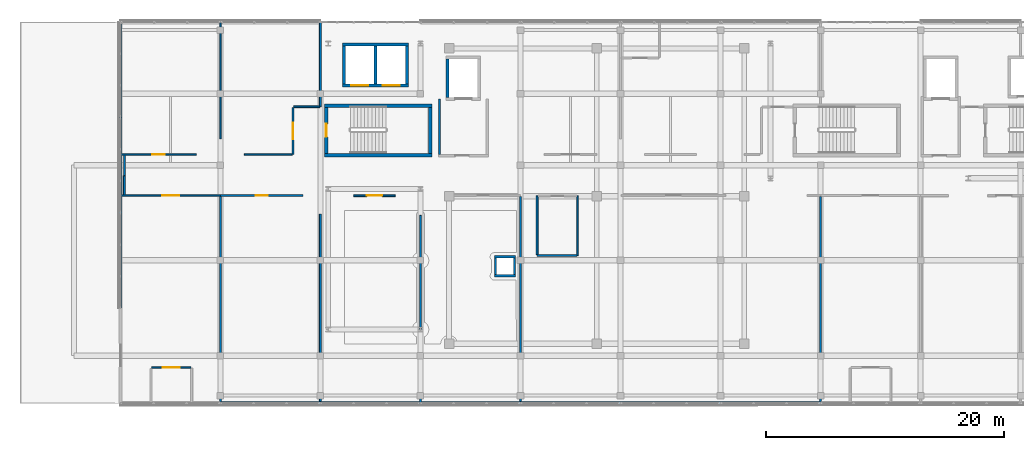
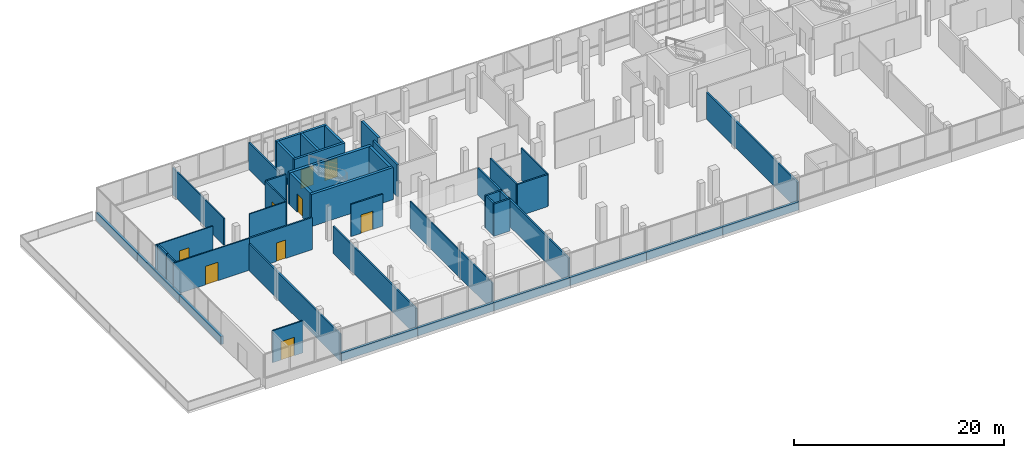
# One storey, part 56 of 67: 44 walls, 9 doors, 9 openings.
"""IFC4 building model written with IfcOpenShell, lengths in metres."""

from ifc_helpers import new_model, si_unit, direction, frame, frame_2d, origin, place, context, subcontext, project, spatial, rectangle, extrude, material, layer, layer_set, type_object, element, fill, save


model = new_model("IFC4")

# Units and contexts
model_context = context("Model", 3, precision=1e-05, world=origin(), true_north=direction((0.0, 1.0)))
body_context = subcontext(model_context, "Body", "Model", "MODEL_VIEW")
ifc_project = project(units=[si_unit("LENGTHUNIT", "METRE"), si_unit("AREAUNIT", "SQUARE_METRE"), si_unit("VOLUMEUNIT", "CUBIC_METRE"), si_unit("PLANEANGLEUNIT", "RADIAN"), si_unit("MASSUNIT", "GRAM", prefix="KILO")], contexts=[model_context])

# Site, building, storey
site_placement = place(None, origin())
site = spatial("IfcSite", under=ifc_project, at=site_placement, CompositionType="ELEMENT")
building_placement = place(site_placement, origin())
building = spatial("IfcBuilding", under=site, at=building_placement, Name="Selatvlak General Hospital", CompositionType="ELEMENT")
storey_placement = place(building_placement, frame((0.0, 0.0, 35.39990234375)))
storey = spatial("IfcBuildingStorey", under=building, at=storey_placement, Name="L08", CompositionType="ELEMENT", Elevation=35.39990234375)

# Walls
ifc_material_1 = material(Name="Precast concrete C40/50 - white Bauhaus spandrel", Category="concrete")
ifc_layer_1 = layer(ifc_material_1, 0.280029296875, Name="Precast concrete C40/50 - white Bauhaus spandrel", Category="concrete")
ifc_layer_set_1 = layer_set([ifc_layer_1], Name="Precast concrete C40/50 - white Bauhaus spandrel")
wall_type_1 = type_object("IfcWallType", Name="WALL-EW-02", PredefinedType="SOLIDWALL", material=ifc_layer_set_1)
wall_1_placement = place(storey_placement, frame((31.199951171875, 96.001953125, 0.0), z_axis=(0.0, 0.0, 1.0), x_axis=(0.0, 1.0, 0.0)))
element("IfcWall", 1, at=wall_1_placement, inside=storey, type_object=wall_type_1, Name="L08 Bauhaus spandrel sill wall 0604", PredefinedType="SOLIDWALL", context=body_context, shape_type="SweptSolid", body=[
    extrude(rectangle(XDim=7.9951171875, YDim=0.280029296875, at=frame_2d((3.99755859375, 0.0))), origin(), (0.0, 0.0, 1.0), 0.940185546875),
])
wall_2_placement = place(storey_placement, frame((31.199951171875, 104.0009765625, 0.0), z_axis=(0.0, 0.0, 1.0), x_axis=(0.0, 1.0, 0.0)))
element("IfcWall", 2, at=wall_2_placement, inside=storey, type_object=wall_type_1, Name="L08 Bauhaus spandrel sill wall 0605", PredefinedType="SOLIDWALL", context=body_context, shape_type="SweptSolid", body=[
    extrude(rectangle(XDim=7.99609375, YDim=0.280029296875, at=frame_2d((3.998046875, 0.0))), origin(), (0.0, 0.0, 1.0), 0.940185546875),
])
wall_3_placement = place(storey_placement, frame((31.199951171875, 112.0009765625, 0.0), z_axis=(0.0, 0.0, 1.0), x_axis=(0.0, 1.0, 0.0)))
element("IfcWall", 3, at=wall_3_placement, inside=storey, type_object=wall_type_1, Name="L08 Bauhaus spandrel sill wall 0606", PredefinedType="SOLIDWALL", context=body_context, shape_type="SweptSolid", body=[
    extrude(rectangle(XDim=7.85791015625, YDim=0.280029296875, at=frame_2d((3.928955078125, 0.0))), origin(), (0.0, 0.0, 1.0), 0.940185546875),
])
for number, where, z_axis, x_axis, name in (
    (4, (89.998046875, 88.0, 0.0), (0.0, 0.0, 1.0), (-1.0, 0.0, 0.0), "L08 Bauhaus spandrel sill wall 0630"),
    (5, (81.597900390625, 88.0, 0.0), (0.0, 0.0, 1.0), (-1.0, 0.0, 0.0), "L08 Bauhaus spandrel sill wall 0631"),
    (6, (73.197998046875, 88.0, 0.0), (0.0, 0.0, 1.0), (-1.0, 0.0, 0.0), "L08 Bauhaus spandrel sill wall 0632"),
    (7, (64.798095703125, 88.0, 0.0), (0.0, 0.0, 1.0), (-1.0, 0.0, 0.0), "L08 Bauhaus spandrel sill wall 0633"),
    (8, (56.39794921875, 88.0, 0.0), (0.0, 0.0, 1.0), (-1.0, 0.0, 0.0), "L08 Bauhaus spandrel sill wall 0634"),
    (9, (47.998046875, 88.0, 0.0), (0.0, 0.0, 1.0), (-1.0, 0.0, 0.0), "L08 Bauhaus spandrel sill wall 0635"),
):
    element("IfcWall", number, at=place(storey_placement, frame(where, z_axis=z_axis, x_axis=x_axis)), inside=storey, type_object=wall_type_1, Name=name, PredefinedType="SOLIDWALL", context=body_context, shape_type="SweptSolid", body=[
        extrude(rectangle(XDim=8.39599609375, YDim=0.280029296875, at=frame_2d((4.197998046875, 0.0))), origin(), (0.0, 0.0, 1.0), 0.940185546875),
    ])
ifc_material_2 = material(Name="Concrete C40/50", Category="concrete")
ifc_layer_2 = layer(ifc_material_2, 0.199951171875, Name="Concrete C40/50", Category="concrete")
ifc_layer_set_2 = layer_set([ifc_layer_2], Name="Concrete C40/50")
wall_type_2 = type_object("IfcWallType", Name="WALL-IW-02", PredefinedType="SOLIDWALL", material=ifc_layer_set_2)
wall_4_placement = place(storey_placement, frame((58.0, 113.550048828125, 0.0), z_axis=(0.0, 0.0, 1.0), x_axis=(0.0, -1.0, 0.0)))
element("IfcWall", 10, at=wall_4_placement, inside=storey, type_object=wall_type_2, Name="Firefighting lobby C1 wall L08 W", PredefinedType="SOLIDWALL", context=body_context, shape_type="SweptSolid", body=[
    extrude(rectangle(XDim=4.650146484375, YDim=0.199951171875, at=frame_2d((2.3251953125, 0.0))), origin(), (0.0, 0.0, 1.0), 3.739990234375),
])
wall_5_placement = place(storey_placement, frame((62.60009765625, 98.699951171875, 0.0), z_axis=(0.0, 0.0, 1.0), x_axis=(1.0, 0.0, 0.0)))
element("IfcWall", 11, at=wall_5_placement, inside=storey, type_object=wall_type_2, Name="Service riser 1 shaft wall L08 S", PredefinedType="SOLIDWALL", context=body_context, shape_type="SweptSolid", body=[
    extrude(rectangle(XDim=1.7998046875, YDim=0.199951171875, at=frame_2d((0.89990234375, 0.0))), origin(), (0.0, 0.0, 1.0), 3.739990234375),
])
wall_6_placement = place(storey_placement, frame((64.300048828125, 98.800048828125, 0.0), z_axis=(0.0, 0.0, 1.0), x_axis=(0.0, 1.0, 0.0)))
element("IfcWall", 12, at=wall_6_placement, inside=storey, type_object=wall_type_2, Name="Service riser 1 shaft wall L08 E", PredefinedType="SOLIDWALL", context=body_context, shape_type="SweptSolid", body=[
    extrude(rectangle(XDim=1.39990234375, YDim=0.199951171875, at=frame_2d((0.699951171875, 0.0))), origin(), (0.0, 0.0, 1.0), 3.739990234375),
])
wall_7_placement = place(storey_placement, frame((64.39990234375, 100.300048828125, 0.0), z_axis=(0.0, 0.0, 1.0), x_axis=(-1.0, 0.0, 0.0)))
element("IfcWall", 13, at=wall_7_placement, inside=storey, type_object=wall_type_2, Name="Service riser 1 shaft wall L08 N", PredefinedType="SOLIDWALL", context=body_context, shape_type="SweptSolid", body=[
    extrude(rectangle(XDim=1.7998046875, YDim=0.199951171875, at=frame_2d((0.89990234375, 0.0))), origin(), (0.0, 0.0, 1.0), 3.739990234375),
])
wall_8_placement = place(storey_placement, frame((62.699951171875, 100.199951171875, 0.0), z_axis=(0.0, 0.0, 1.0), x_axis=(0.0, -1.0, 0.0)))
element("IfcWall", 14, at=wall_8_placement, inside=storey, type_object=wall_type_2, Name="Service riser 1 shaft wall L08 W", PredefinedType="SOLIDWALL", context=body_context, shape_type="SweptSolid", body=[
    extrude(rectangle(XDim=1.39990234375, YDim=0.199951171875, at=frame_2d((0.699951171875, 0.0))), origin(), (0.0, 0.0, 1.0), 3.739990234375),
])
ifc_material_3 = material(Name="Acoustic gypsum stud partition")
ifc_layer_3 = layer(ifc_material_3, 0.179931640625, Name="Acoustic gypsum stud partition")
ifc_layer_set_3 = layer_set([ifc_layer_3], Name="Acoustic gypsum stud partition")
wall_type_3 = type_object("IfcWallType", Name="WALL-PT-01", PredefinedType="PARTITIONING", material=ifc_layer_set_3)
wall_9_placement = place(storey_placement, frame((69.535888671875, 100.39990234375, 0.0), z_axis=(0.0, 0.0, 1.0), x_axis=(-1.0, 0.0, 0.0)))
element("IfcWall", 15, at=wall_9_placement, inside=storey, type_object=wall_type_3, Name="L08 clinical partition PT-L08-2151", PredefinedType="PARTITIONING", context=body_context, shape_type="SweptSolid", body=[
    extrude(rectangle(XDim=3.3359375, YDim=0.179931640625, at=frame_2d((1.66796875, 0.0))), origin(), (0.0, 0.0, 1.0), 3.739990234375),
])
wall_10_placement = place(storey_placement, frame((39.60009765625, 105.3759765625, 0.0), z_axis=(0.0, 0.0, 1.0), x_axis=(0.0, -1.0, 0.0)))
element("IfcWall", 16, at=wall_10_placement, inside=storey, type_object=wall_type_3, Name="L08 clinical partition PT-L08-2166", PredefinedType="PARTITIONING", context=body_context, shape_type="SweptSolid", body=[
    extrude(rectangle(XDim=17.365966796875, YDim=0.179931640625, at=frame_2d((8.68310546875, 0.0))), origin(), (0.0, 0.0, 1.0), 3.14013671875),
])

# Wall, opening, door
wall_11_placement = place(storey_placement, frame((39.60009765625, 105.43994140625, 0.0), z_axis=(0.0, 0.0, 1.0), x_axis=(1.0, 0.0, 0.0)))
wall_11 = element("IfcWall", 17, at=wall_11_placement, inside=storey, type_object=wall_type_3, Name="L08 clinical partition PT-L08-2170", PredefinedType="PARTITIONING", context=body_context, shape_type="SweptSolid", body=[
    extrude(rectangle(XDim=6.914794921875, YDim=0.179931640625, at=frame_2d((3.45751953125, 0.0))), origin(), (0.0, 0.0, 1.0), 3.739990234375),
])
opening_1_placement = place(wall_11_placement, frame((2.95703125, 0.0, 0.0)))
opening_1 = element("IfcOpeningElement", 18, at=opening_1_placement, cuts=wall_11, Name="Opening D-21", PredefinedType="OPENING", context=body_context, shape_type="SweptSolid", body=[
    extrude(rectangle(XDim=1.0, YDim=2.14990234375, at=frame_2d((0.5, 1.074951171875))), frame((0.0, 0.099853515625, 0.0), z_axis=(0.0, -1.0, 0.0), x_axis=(1.0, 0.0, 0.0)), (0.0, 0.0, 1.0), 0.199951171875),
])
ifc_material_4 = material(Name="Laboratory fire door")
door_type_1 = type_object("IfcDoorType", Name="DOOR-D-21", OperationType="NOTDEFINED", PredefinedType="DOOR", material=ifc_material_4)
door_1_placement = place(opening_1_placement, origin())
door_1 = element("IfcDoor", 19, at=door_1_placement, inside=storey, type_object=door_type_1, Name="L08 Helipad Trauma Staging Room 02 door", OperationType="SINGLE_SWING_LEFT", OverallHeight=2.14990234375, OverallWidth=1.0, PredefinedType="DOOR", context=body_context, shape_type="SweptSolid", body=[
    extrude(rectangle(XDim=1.0, YDim=2.14990234375, at=frame_2d((0.5, 1.074951171875))), frame((0.0, 0.02490234375, 0.0), z_axis=(0.0, -1.0, 0.0), x_axis=(1.0, 0.0, 0.0)), (0.0, 0.0, 1.0), 0.050048828125),
])
fill(opening_1, door_1)

# Walls
for number, where, z_axis, x_axis, name in (
    (20, (64.800048828125, 105.384033203125, 0.0), (0.0, 0.0, 1.0), (0.0, -1.0, 0.0), "L08 clinical partition PT-L08-2175"),
    (21, (90.0, 105.384033203125, 0.0), (0.0, 0.0, 1.0), (0.0, -1.0, 0.0), "L08 clinical partition PT-L08-2180"),
):
    element("IfcWall", number, at=place(storey_placement, frame(where, z_axis=z_axis, x_axis=x_axis)), inside=storey, type_object=wall_type_3, Name=name, PredefinedType="PARTITIONING", context=body_context, shape_type="SweptSolid", body=[
        extrude(rectangle(XDim=17.3740234375, YDim=0.179931640625, at=frame_2d((8.68701171875, 0.0))), origin(), (0.0, 0.0, 1.0), 3.14013671875),
    ])
wall_12_placement = place(storey_placement, frame((31.5400390625, 108.85400390625, 0.0), z_axis=(0.0, 0.0, 1.0), x_axis=(0.0, -1.0, 0.0)))
element("IfcWall", 22, at=wall_12_placement, inside=storey, type_object=wall_type_3, Name="L08 clinical partition PT-L08-2205", PredefinedType="PARTITIONING", context=body_context, shape_type="SweptSolid", body=[
    extrude(rectangle(XDim=1.75390625, YDim=0.179931640625, at=frame_2d((0.876953125, 0.0))), origin(), (0.0, 0.0, 1.0), 3.739990234375),
])
ifc_layer_4 = layer(ifc_material_3, 0.1650390625, Name="Acoustic gypsum stud partition")
ifc_layer_set_4 = layer_set([ifc_layer_4], Name="Acoustic gypsum stud partition")
wall_type_4 = type_object("IfcWallType", Name="WALL-PT-02", PredefinedType="PARTITIONING", material=ifc_layer_set_4)
wall_13_placement = place(storey_placement, frame((66.199951171875, 100.486083984375, 0.0), z_axis=(0.0, 0.0, 1.0), x_axis=(0.0, 1.0, 0.0)))
element("IfcWall", 23, at=wall_13_placement, inside=storey, type_object=wall_type_4, Name="L08 clinical partition PT-L08-2152", PredefinedType="PARTITIONING", context=body_context, shape_type="SweptSolid", body=[
    extrude(rectangle(XDim=4.933837890625, YDim=0.1650390625, at=frame_2d((2.466796875, 0.0))), origin(), (0.0, 0.0, 1.0), 3.739990234375),
])
wall_14_placement = place(storey_placement, frame((31.5400390625, 107.10009765625, 0.0), z_axis=(0.0, 0.0, 1.0), x_axis=(0.0, -1.0, 0.0)))
element("IfcWall", 24, at=wall_14_placement, inside=storey, type_object=wall_type_4, Name="L08 clinical partition PT-L08-2164", PredefinedType="PARTITIONING", context=body_context, shape_type="SweptSolid", body=[
    extrude(rectangle(XDim=1.60009765625, YDim=0.1650390625, at=frame_2d((0.800048828125, 0.0))), origin(), (0.0, 0.0, 1.0), 3.739990234375),
])
wall_15_placement = place(storey_placement, frame((48.0, 103.887939453125, 0.0), z_axis=(0.0, 0.0, 1.0), x_axis=(0.0, -1.0, 0.0)))
element("IfcWall", 25, at=wall_15_placement, inside=storey, type_object=wall_type_4, Name="L08 clinical partition PT-L08-2171", PredefinedType="PARTITIONING", context=body_context, shape_type="SweptSolid", body=[
    extrude(rectangle(XDim=15.8779296875, YDim=0.1650390625, at=frame_2d((7.93896484375, 0.0))), origin(), (0.0, 0.0, 1.0), 3.14013671875),
])
wall_16_placement = place(storey_placement, frame((48.0, 119.989990234375, 0.0), z_axis=(0.0, 0.0, 1.0), x_axis=(0.0, -1.0, 0.0)))
element("IfcWall", 26, at=wall_16_placement, inside=storey, type_object=wall_type_4, Name="L08 clinical partition PT-L08-2206", PredefinedType="PARTITIONING", context=body_context, shape_type="SweptSolid", body=[
    extrude(rectangle(XDim=7.090087890625, YDim=0.1650390625, at=frame_2d((3.544921875, 0.0))), origin(), (0.0, 0.0, 1.0), 3.14013671875),
])

# Wall, opening, door
ifc_layer_5 = layer(ifc_material_3, 0.14990234375, Name="Acoustic gypsum stud partition")
ifc_layer_set_5 = layer_set([ifc_layer_5], Name="Acoustic gypsum stud partition")
wall_type_5 = type_object("IfcWallType", Name="WALL-PT-03", PredefinedType="PARTITIONING", material=ifc_layer_set_5)
wall_17_placement = place(storey_placement, frame((50.784912109375, 105.43994140625, 0.0), z_axis=(0.0, 0.0, 1.0), x_axis=(1.0, 0.0, 0.0)))
wall_17 = element("IfcWall", 27, at=wall_17_placement, inside=storey, type_object=wall_type_5, Name="L08 clinical partition PT-L08-2172", PredefinedType="PARTITIONING", context=body_context, shape_type="SweptSolid", body=[
    extrude(rectangle(XDim=3.47998046875, YDim=0.14990234375, at=frame_2d((1.739990234375, 0.0))), origin(), (0.0, 0.0, 1.0), 3.739990234375),
])
opening_2_placement = place(wall_17_placement, frame((1.090087890625, 0.0, 0.0)))
opening_2 = element("IfcOpeningElement", 28, at=opening_2_placement, cuts=wall_17, Name="Opening D-24", PredefinedType="OPENING", context=body_context, shape_type="SweptSolid", body=[
    extrude(rectangle(XDim=1.300048828125, YDim=2.14990234375, at=frame_2d((0.64990234375, 1.074951171875))), frame((0.0, 0.0849609375, 0.0), z_axis=(0.0, -1.0, 0.0), x_axis=(1.0, 0.0, 0.0)), (0.0, 0.0, 1.0), 0.169921875),
])
ifc_material_5 = material(Name="Oncology bay door")
door_type_2 = type_object("IfcDoorType", Name="DOOR-D-24", OperationType="NOTDEFINED", PredefinedType="DOOR", material=ifc_material_5)
door_2_placement = place(opening_2_placement, origin())
door_2 = element("IfcDoor", 29, at=door_2_placement, inside=storey, type_object=door_type_2, Name="L08 Outpatient Specialist Waiting Concourse 03 door", OperationType="SINGLE_SWING_RIGHT", OverallHeight=2.14990234375, OverallWidth=1.300048828125, PredefinedType="DOOR", context=body_context, shape_type="SweptSolid", body=[
    extrude(rectangle(XDim=1.300048828125, YDim=2.14990234375, at=frame_2d((0.64990234375, 1.074951171875))), frame((0.0, 0.02490234375, 0.0), z_axis=(0.0, -1.0, 0.0), x_axis=(1.0, 0.0, 0.0)), (0.0, 0.0, 1.0), 0.050048828125),
])
fill(opening_2, door_2)

# Walls
wall_18_placement = place(storey_placement, frame((47.922119140625, 112.89990234375, 0.0), z_axis=(0.0, 0.0, 1.0), x_axis=(-1.0, 0.0, 0.0)))
element("IfcWall", 30, at=wall_18_placement, inside=storey, type_object=wall_type_5, Name="L08 clinical partition PT-L08-2207", PredefinedType="PARTITIONING", context=body_context, shape_type="SweptSolid", body=[
    extrude(rectangle(XDim=2.172119140625, YDim=0.14990234375, at=frame_2d((1.0859375, 0.0))), origin(), (0.0, 0.0, 1.0), 3.739990234375),
])
ifc_material_6 = material(Name="Moisture-resistant clinical partition")
ifc_layer_6 = layer(ifc_material_6, 0.135009765625, Name="Moisture-resistant clinical partition")
ifc_layer_set_6 = layer_set([ifc_layer_6], Name="Moisture-resistant clinical partition")
wall_type_6 = type_object("IfcWallType", Name="WALL-PT-04", PredefinedType="PARTITIONING", material=ifc_layer_set_6)
wall_19_placement = place(storey_placement, frame((69.60009765625, 105.419921875, 0.0), z_axis=(0.0, 0.0, 1.0), x_axis=(0.0, -1.0, 0.0)))
element("IfcWall", 31, at=wall_19_placement, inside=storey, type_object=wall_type_6, Name="L08 clinical partition PT-L08-2150", PredefinedType="PARTITIONING", context=body_context, shape_type="SweptSolid", body=[
    extrude(rectangle(XDim=5.02001953125, YDim=0.135009765625, at=frame_2d((2.510009765625, 0.0))), origin(), (0.0, 0.0, 1.0), 3.739990234375),
])

# Wall, opening, door
wall_20_placement = place(storey_placement, frame((31.241943359375, 105.43994140625, 0.0), z_axis=(0.0, 0.0, 1.0), x_axis=(1.0, 0.0, 0.0)))
wall_20 = element("IfcWall", 32, at=wall_20_placement, inside=storey, type_object=wall_type_6, Name="L08 clinical partition PT-L08-2165", PredefinedType="PARTITIONING", context=body_context, shape_type="SweptSolid", body=[
    extrude(rectangle(XDim=8.358154296875, YDim=0.135009765625, at=frame_2d((4.17919921875, 0.0))), origin(), (0.0, 0.0, 1.0), 3.739990234375),
])
opening_3_placement = place(wall_20_placement, frame((3.47900390625, 0.0, 0.0)))
opening_3 = element("IfcOpeningElement", 33, at=opening_3_placement, cuts=wall_20, Name="Opening D-11", PredefinedType="OPENING", context=body_context, shape_type="SweptSolid", body=[
    extrude(rectangle(XDim=1.39990234375, YDim=2.14990234375, at=frame_2d((0.699951171875, 1.074951171875))), frame((0.0, 0.077392578125, 0.0), z_axis=(0.0, -1.0, 0.0), x_axis=(1.0, 0.0, 0.0)), (0.0, 0.0, 1.0), 0.155029296875),
])
ifc_material_7 = material(Name="Inpatient suite bed door")
door_type_3 = type_object("IfcDoorType", Name="DOOR-D-11", OperationType="NOTDEFINED", PredefinedType="DOOR", material=ifc_material_7)
door_3_placement = place(opening_3_placement, origin())
door_3 = element("IfcDoor", 34, at=door_3_placement, inside=storey, type_object=door_type_3, Name="L08 Airborne Isolation Patient Room 01 door", OperationType="SINGLE_SWING_LEFT", OverallHeight=2.14990234375, OverallWidth=1.39990234375, PredefinedType="DOOR", context=body_context, shape_type="SweptSolid", body=[
    extrude(rectangle(XDim=1.39990234375, YDim=2.14990234375, at=frame_2d((0.699951171875, 1.074951171875))), frame((0.0, 0.02490234375, 0.0), z_axis=(0.0, -1.0, 0.0), x_axis=(1.0, 0.0, 0.0)), (0.0, 0.0, 1.0), 0.050048828125),
])
fill(opening_3, door_3)

wall_21_placement = place(storey_placement, frame((37.1201171875, 91.0, 0.0), z_axis=(0.0, 0.0, 1.0), x_axis=(-1.0, 0.0, 0.0)))
wall_21 = element("IfcWall", 35, at=wall_21_placement, inside=storey, type_object=wall_type_6, Name="L08 clinical partition PT-L08-2168", PredefinedType="PARTITIONING", context=body_context, shape_type="SweptSolid", body=[
    extrude(rectangle(XDim=3.300048828125, YDim=0.135009765625, at=frame_2d((1.64990234375, 0.0))), origin(), (0.0, 0.0, 1.0), 3.739990234375),
])
opening_4_placement = place(wall_21_placement, frame((0.925048828125, 0.0, 0.0)))
opening_4 = element("IfcOpeningElement", 36, at=opening_4_placement, cuts=wall_21, Name="Opening D-12", PredefinedType="OPENING", context=body_context, shape_type="SweptSolid", body=[
    extrude(rectangle(XDim=1.449951171875, YDim=2.14990234375, at=frame_2d((0.72509765625, 1.074951171875))), frame((0.0, 0.077392578125, 0.0), z_axis=(0.0, -1.0, 0.0), x_axis=(1.0, 0.0, 0.0)), (0.0, 0.0, 1.0), 0.155029296875),
])
ifc_material_8 = material(Name="Isolation anteroom door")
door_type_4 = type_object("IfcDoorType", Name="DOOR-D-12", OperationType="NOTDEFINED", PredefinedType="DOOR", material=ifc_material_8)
door_4_placement = place(opening_4_placement, origin())
door_4 = element("IfcDoor", 37, at=door_4_placement, inside=storey, type_object=door_type_4, Name="L08 Patient En-Suite WC 01 door", OperationType="SINGLE_SWING_RIGHT", OverallHeight=2.14990234375, OverallWidth=1.449951171875, PredefinedType="DOOR", context=body_context, shape_type="SweptSolid", body=[
    extrude(rectangle(XDim=1.449951171875, YDim=2.14990234375, at=frame_2d((0.72509765625, 1.074951171875))), frame((0.0, 0.02490234375, 0.0), z_axis=(0.0, -1.0, 0.0), x_axis=(1.0, 0.0, 0.0)), (0.0, 0.0, 1.0), 0.050048828125),
])
fill(opening_4, door_4)

# Walls
wall_22_placement = place(storey_placement, frame((56.39990234375, 103.7900390625, 0.0), z_axis=(0.0, 0.0, 1.0), x_axis=(0.0, -1.0, 0.0)))
element("IfcWall", 38, at=wall_22_placement, inside=storey, type_object=wall_type_6, Name="L08 clinical partition PT-L08-2173", PredefinedType="PARTITIONING", context=body_context, shape_type="SweptSolid", body=[
    extrude(rectangle(XDim=15.780029296875, YDim=0.135009765625, at=frame_2d((7.89013671875, 0.0))), origin(), (0.0, 0.0, 1.0), 3.14013671875),
])
wall_23_placement = place(storey_placement, frame((39.60009765625, 119.989990234375, 0.0), z_axis=(0.0, 0.0, 1.0), x_axis=(0.0, -1.0, 0.0)))
element("IfcWall", 39, at=wall_23_placement, inside=storey, type_object=wall_type_6, Name="L08 clinical partition PT-L08-2203", PredefinedType="PARTITIONING", context=body_context, shape_type="SweptSolid", body=[
    extrude(rectangle(XDim=9.780029296875, YDim=0.135009765625, at=frame_2d((4.89013671875, 0.0))), origin(), (0.0, 0.0, 1.0), 3.14013671875),
])

# Wall, opening, door
wall_24_placement = place(storey_placement, frame((45.68994140625, 112.840087890625, 0.0), z_axis=(0.0, 0.0, 1.0), x_axis=(0.0, -1.0, 0.0)))
wall_24 = element("IfcWall", 40, at=wall_24_placement, inside=storey, type_object=wall_type_6, Name="L08 clinical partition PT-L08-2208", PredefinedType="PARTITIONING", context=body_context, shape_type="SweptSolid", body=[
    extrude(rectangle(XDim=3.93017578125, YDim=0.135009765625, at=frame_2d((1.965087890625, 0.0))), origin(), (0.0, 0.0, 1.0), 3.739990234375),
])
opening_5_placement = place(wall_24_placement, frame((1.264892578125, 0.0, 0.0)))
opening_5 = element("IfcOpeningElement", 41, at=opening_5_placement, cuts=wall_24, Name="Opening D-11", PredefinedType="OPENING", context=body_context, shape_type="SweptSolid", body=[
    extrude(rectangle(XDim=1.39990234375, YDim=2.14990234375, at=frame_2d((0.699951171875, 1.074951171875))), frame((0.0, 0.077392578125, 0.0), z_axis=(0.0, -1.0, 0.0), x_axis=(1.0, 0.0, 0.0)), (0.0, 0.0, 1.0), 0.155029296875),
])
door_5_placement = place(opening_5_placement, origin())
door_5 = element("IfcDoor", 42, at=door_5_placement, inside=storey, type_object=door_type_3, Name="L08 Infectious Disease Treatment Bay 15 door", OperationType="SINGLE_SWING_LEFT", OverallHeight=2.14990234375, OverallWidth=1.39990234375, PredefinedType="DOOR", context=body_context, shape_type="SweptSolid", body=[
    extrude(rectangle(XDim=1.39990234375, YDim=2.14990234375, at=frame_2d((0.699951171875, 1.074951171875))), frame((0.0, 0.02490234375, 0.0), z_axis=(0.0, -1.0, 0.0), x_axis=(1.0, 0.0, 0.0)), (0.0, 0.0, 1.0), 0.050048828125),
])
fill(opening_5, door_5)

ifc_layer_7 = layer(ifc_material_6, 0.1201171875, Name="Moisture-resistant clinical partition")
ifc_layer_set_7 = layer_set([ifc_layer_7], Name="Moisture-resistant clinical partition")
wall_type_7 = type_object("IfcWallType", Name="WALL-PT-05", PredefinedType="PARTITIONING", material=ifc_layer_set_7)
wall_25_placement = place(storey_placement, frame((37.589111328125, 108.909912109375, 0.0), z_axis=(0.0, 0.0, 1.0), x_axis=(-1.0, 0.0, 0.0)))
wall_25 = element("IfcWall", 43, at=wall_25_placement, inside=storey, type_object=wall_type_7, Name="L08 clinical partition PT-L08-2204", PredefinedType="PARTITIONING", context=body_context, shape_type="SweptSolid", body=[
    extrude(rectangle(XDim=6.34716796875, YDim=0.1201171875, at=frame_2d((3.173583984375, 0.0))), origin(), (0.0, 0.0, 1.0), 3.739990234375),
])
opening_6_placement = place(wall_25_placement, frame((2.64794921875, 0.0, 0.0)))
opening_6 = element("IfcOpeningElement", 44, at=opening_6_placement, cuts=wall_25, Name="Opening D-04", PredefinedType="OPENING", context=body_context, shape_type="SweptSolid", body=[
    extrude(rectangle(XDim=1.050048828125, YDim=2.14990234375, at=frame_2d((0.52490234375, 1.074951171875))), frame((0.0, 0.070068359375, 0.0), z_axis=(0.0, -1.0, 0.0), x_axis=(1.0, 0.0, 0.0)), (0.0, 0.0, 1.0), 0.14013671875),
])
ifc_material_9 = material(Name="Consultation room door")
door_type_5 = type_object("IfcDoorType", Name="DOOR-D-04", OperationType="NOTDEFINED", PredefinedType="DOOR", material=ifc_material_9)
door_6_placement = place(opening_6_placement, origin())
door_6 = element("IfcDoor", 45, at=door_6_placement, inside=storey, type_object=door_type_5, Name="L08 Helipad Trauma Staging Room 14 door", OperationType="SINGLE_SWING_RIGHT", OverallHeight=2.14990234375, OverallWidth=1.050048828125, PredefinedType="DOOR", context=body_context, shape_type="SweptSolid", body=[
    extrude(rectangle(XDim=1.050048828125, YDim=2.14990234375, at=frame_2d((0.52490234375, 1.074951171875))), frame((0.0, 0.02490234375, 0.0), z_axis=(0.0, -1.0, 0.0), x_axis=(1.0, 0.0, 0.0)), (0.0, 0.0, 1.0), 0.050048828125),
])
fill(opening_6, door_6)

# Walls
wall_26_placement = place(storey_placement, frame((45.626953125, 108.909912109375, 0.0), z_axis=(0.0, 0.0, 1.0), x_axis=(-1.0, 0.0, 0.0)))
element("IfcWall", 46, at=wall_26_placement, inside=storey, type_object=wall_type_7, Name="L08 clinical partition PT-L08-2209", PredefinedType="PARTITIONING", context=body_context, shape_type="SweptSolid", body=[
    extrude(rectangle(XDim=4.015869140625, YDim=0.1201171875, at=frame_2d((2.0078125, 0.0))), origin(), (0.0, 0.0, 1.0), 3.739990234375),
])
ifc_material_10 = material(Name="Concrete C45/55", Category="concrete")
ifc_layer_8 = layer(ifc_material_10, 0.300048828125, Name="Concrete C45/55", Category="concrete")
ifc_layer_set_8 = layer_set([ifc_layer_8], Name="Concrete C45/55")
wall_type_8 = type_object("IfcWallType", Name="WALL-SW-02", PredefinedType="SHEAR", material=ifc_layer_set_8)
wall_27_placement = place(storey_placement, frame((48.340087890625, 108.840087890625, 0.0), z_axis=(0.0, 0.0, 1.0), x_axis=(1.0, 0.0, 0.0)))
element("IfcWall", 47, at=wall_27_placement, inside=storey, type_object=wall_type_8, Name="ST-01 core shear wall L08 S", PredefinedType="SHEAR", context=body_context, shape_type="SweptSolid", body=[
    extrude(rectangle(XDim=9.02001953125, YDim=0.300048828125, at=frame_2d((4.510009765625, 0.0))), origin(), (0.0, 0.0, 1.0), 3.739990234375),
])
wall_28_placement = place(storey_placement, frame((57.2099609375, 108.989990234375, 0.0), z_axis=(0.0, 0.0, 1.0), x_axis=(0.0, 1.0, 0.0)))
element("IfcWall", 48, at=wall_28_placement, inside=storey, type_object=wall_type_8, Name="ST-01 core shear wall L08 E", PredefinedType="SHEAR", context=body_context, shape_type="SweptSolid", body=[
    extrude(rectangle(XDim=3.860107421875, YDim=0.300048828125, at=frame_2d((1.93017578125, 0.0))), origin(), (0.0, 0.0, 1.0), 3.739990234375),
])
wall_29_placement = place(storey_placement, frame((57.360107421875, 113.0, 0.0), z_axis=(0.0, 0.0, 1.0), x_axis=(-1.0, 0.0, 0.0)))
element("IfcWall", 49, at=wall_29_placement, inside=storey, type_object=wall_type_8, Name="ST-01 core shear wall L08 N", PredefinedType="SHEAR", context=body_context, shape_type="SweptSolid", body=[
    extrude(rectangle(XDim=9.02001953125, YDim=0.300048828125, at=frame_2d((4.510009765625, 0.0))), origin(), (0.0, 0.0, 1.0), 3.739990234375),
])

# Wall, opening, door
wall_30_placement = place(storey_placement, frame((48.489990234375, 112.85009765625, 0.0), z_axis=(0.0, 0.0, 1.0), x_axis=(0.0, -1.0, 0.0)))
wall_30 = element("IfcWall", 50, at=wall_30_placement, inside=storey, type_object=wall_type_8, Name="ST-01 core shear wall L08 W", PredefinedType="SHEAR", context=body_context, shape_type="SweptSolid", body=[
    extrude(rectangle(XDim=3.860107421875, YDim=0.300048828125, at=frame_2d((1.93017578125, 0.0))), origin(), (0.0, 0.0, 1.0), 3.739990234375),
])
opening_7_placement = place(wall_30_placement, frame((1.3798828125, 0.0, 0.0)))
opening_7 = element("IfcOpeningElement", 51, at=opening_7_placement, cuts=wall_30, Name="Opening D-05", PredefinedType="OPENING", context=body_context, shape_type="SweptSolid", body=[
    extrude(rectangle(XDim=1.10009765625, YDim=2.14990234375, at=frame_2d((0.550048828125, 1.074951171875))), frame((0.0, 0.159912109375, 0.0), z_axis=(0.0, -1.0, 0.0), x_axis=(1.0, 0.0, 0.0)), (0.0, 0.0, 1.0), 0.320068359375),
])
ifc_material_11 = material(Name="Protected stair fire door")
door_type_6 = type_object("IfcDoorType", Name="DOOR-D-05", OperationType="NOTDEFINED", PredefinedType="DOOR", material=ifc_material_11)
door_7_placement = place(opening_7_placement, origin())
door_7 = element("IfcDoor", 52, at=door_7_placement, inside=storey, type_object=door_type_6, Name="ST-01 protected stair door on L08", OperationType="SINGLE_SWING_RIGHT", OverallHeight=2.14990234375, OverallWidth=1.10009765625, PredefinedType="DOOR", context=body_context, shape_type="SweptSolid", body=[
    extrude(rectangle(XDim=1.10009765625, YDim=2.14990234375, at=frame_2d((0.550048828125, 1.074951171875))), frame((0.0, 0.02490234375, 0.0), z_axis=(0.0, -1.0, 0.0), x_axis=(1.0, 0.0, 0.0)), (0.0, 0.0, 1.0), 0.050048828125),
])
fill(opening_7, door_7)

# Wall
ifc_layer_9 = layer(ifc_material_2, 0.25, Name="Concrete C40/50", Category="concrete")
ifc_layer_set_9 = layer_set([ifc_layer_9], Name="Concrete C40/50")
wall_type_9 = type_object("IfcWallType", Name="WALL-SW-03", PredefinedType="SHEAR", material=ifc_layer_set_9)
wall_31_placement = place(storey_placement, frame((58.675048828125, 116.89990234375, 0.0), z_axis=(0.0, 0.0, 1.0), x_axis=(0.0, -1.0, 0.0)))
element("IfcWall", 53, at=wall_31_placement, inside=storey, type_object=wall_type_9, Name="Lift LF-01 shaft wall L08 W", PredefinedType="SHEAR", context=body_context, shape_type="SweptSolid", body=[
    extrude(rectangle(XDim=3.199951171875, YDim=0.25, at=frame_2d((1.60009765625, 0.0))), origin(), (0.0, 0.0, 1.0), 3.739990234375),
])

# Wall, openings, doors
wall_32_placement = place(storey_placement, frame((49.85009765625, 114.675048828125, 0.0), z_axis=(0.0, 0.0, 1.0), x_axis=(1.0, 0.0, 0.0)))
wall_32 = element("IfcWall", 54, at=wall_32_placement, inside=storey, type_object=wall_type_9, Name="Lift LB-01-LB-02 shaft wall L08 S", PredefinedType="SHEAR", context=body_context, shape_type="SweptSolid", body=[
    extrude(rectangle(XDim=5.5498046875, YDim=0.25, at=frame_2d((2.77490234375, 0.0))), origin(), (0.0, 0.0, 1.0), 3.739990234375),
])
opening_8_placement = place(wall_32_placement, frame((0.75, 0.0, 0.0)))
opening_8 = element("IfcOpeningElement", 55, at=opening_8_placement, cuts=wall_32, Name="Opening LD-B1", PredefinedType="OPENING", context=body_context, shape_type="SweptSolid", body=[
    extrude(rectangle(XDim=1.39990234375, YDim=2.199951171875, at=frame_2d((0.699951171875, 1.10009765625))), frame((0.0, 0.135009765625, 0.0), z_axis=(0.0, -1.0, 0.0), x_axis=(1.0, 0.0, 0.0)), (0.0, 0.0, 1.0), 0.27001953125),
])
opening_9_placement = place(wall_32_placement, frame((3.39990234375, 0.0, 0.0)))
opening_9 = element("IfcOpeningElement", 56, at=opening_9_placement, cuts=wall_32, Name="Opening LD-B1", PredefinedType="OPENING", context=body_context, shape_type="SweptSolid", body=[
    extrude(rectangle(XDim=1.39990234375, YDim=2.199951171875, at=frame_2d((0.699951171875, 1.10009765625))), frame((0.0, 0.135009765625, 0.0), z_axis=(0.0, -1.0, 0.0), x_axis=(1.0, 0.0, 0.0)), (0.0, 0.0, 1.0), 0.27001953125),
])
ifc_material_12 = material(Name="Stainless steel stretcher lift landing door", Category="steel")
door_type_7 = type_object("IfcDoorType", Name="DOOR-LD-B1", OperationType="DOUBLE_DOOR_SLIDING", PredefinedType="DOOR", material=ifc_material_12)
door_8_placement = place(opening_8_placement, origin())
door_8 = element("IfcDoor", 57, at=door_8_placement, inside=storey, type_object=door_type_7, Name="Lift LB-01 sliding landing door on L08", OperationType="DOUBLE_DOOR_SLIDING", OverallHeight=2.199951171875, OverallWidth=1.39990234375, PredefinedType="DOOR", context=body_context, shape_type="SweptSolid", body=[
    extrude(rectangle(XDim=1.39990234375, YDim=2.199951171875, at=frame_2d((0.699951171875, 1.10009765625))), frame((0.0, 0.02490234375, 0.0), z_axis=(0.0, -1.0, 0.0), x_axis=(1.0, 0.0, 0.0)), (0.0, 0.0, 1.0), 0.050048828125),
])
fill(opening_8, door_8)
door_9_placement = place(opening_9_placement, origin())
door_9 = element("IfcDoor", 58, at=door_9_placement, inside=storey, type_object=door_type_7, Name="Lift LB-02 sliding landing door on L08", OperationType="DOUBLE_DOOR_SLIDING", OverallHeight=2.199951171875, OverallWidth=1.39990234375, PredefinedType="DOOR", context=body_context, shape_type="SweptSolid", body=[
    extrude(rectangle(XDim=1.39990234375, YDim=2.199951171875, at=frame_2d((0.699951171875, 1.10009765625))), frame((0.0, 0.02490234375, 0.0), z_axis=(0.0, -1.0, 0.0), x_axis=(1.0, 0.0, 0.0)), (0.0, 0.0, 1.0), 0.050048828125),
])
fill(opening_9, door_9)

# Walls
wall_33_placement = place(storey_placement, frame((55.27490234375, 114.800048828125, 0.0), z_axis=(0.0, 0.0, 1.0), x_axis=(0.0, 1.0, 0.0)))
element("IfcWall", 59, at=wall_33_placement, inside=storey, type_object=wall_type_9, Name="Lift LB-01-LB-02 shaft wall L08 E", PredefinedType="SHEAR", context=body_context, shape_type="SweptSolid", body=[
    extrude(rectangle(XDim=3.199951171875, YDim=0.25, at=frame_2d((1.60009765625, 0.0))), origin(), (0.0, 0.0, 1.0), 3.739990234375),
])
wall_34_placement = place(storey_placement, frame((55.39990234375, 118.125, 0.0), z_axis=(0.0, 0.0, 1.0), x_axis=(-1.0, 0.0, 0.0)))
element("IfcWall", 60, at=wall_34_placement, inside=storey, type_object=wall_type_9, Name="Lift LB-01-LB-02 shaft wall L08 N", PredefinedType="SHEAR", context=body_context, shape_type="SweptSolid", body=[
    extrude(rectangle(XDim=5.5498046875, YDim=0.25, at=frame_2d((2.77490234375, 0.0))), origin(), (0.0, 0.0, 1.0), 3.739990234375),
])
for number, where, z_axis, x_axis, name in (
    (61, (49.97509765625, 118.0, 0.0), (0.0, 0.0, 1.0), (0.0, -1.0, 0.0), "Lift LB-01-LB-02 shaft wall L08 W"),
    (62, (52.625, 114.800048828125, 0.0), (0.0, 0.0, 1.0), (0.0, 1.0, 0.0), "Lift LB-01-LB-02 dividing shaft wall L08"),
):
    element("IfcWall", number, at=place(storey_placement, frame(where, z_axis=z_axis, x_axis=x_axis)), inside=storey, type_object=wall_type_9, Name=name, PredefinedType="SHEAR", context=body_context, shape_type="SweptSolid", body=[
        extrude(rectangle(XDim=3.199951171875, YDim=0.25, at=frame_2d((1.60009765625, 0.0))), origin(), (0.0, 0.0, 1.0), 3.739990234375),
    ])

save(model, "model.ifc")
